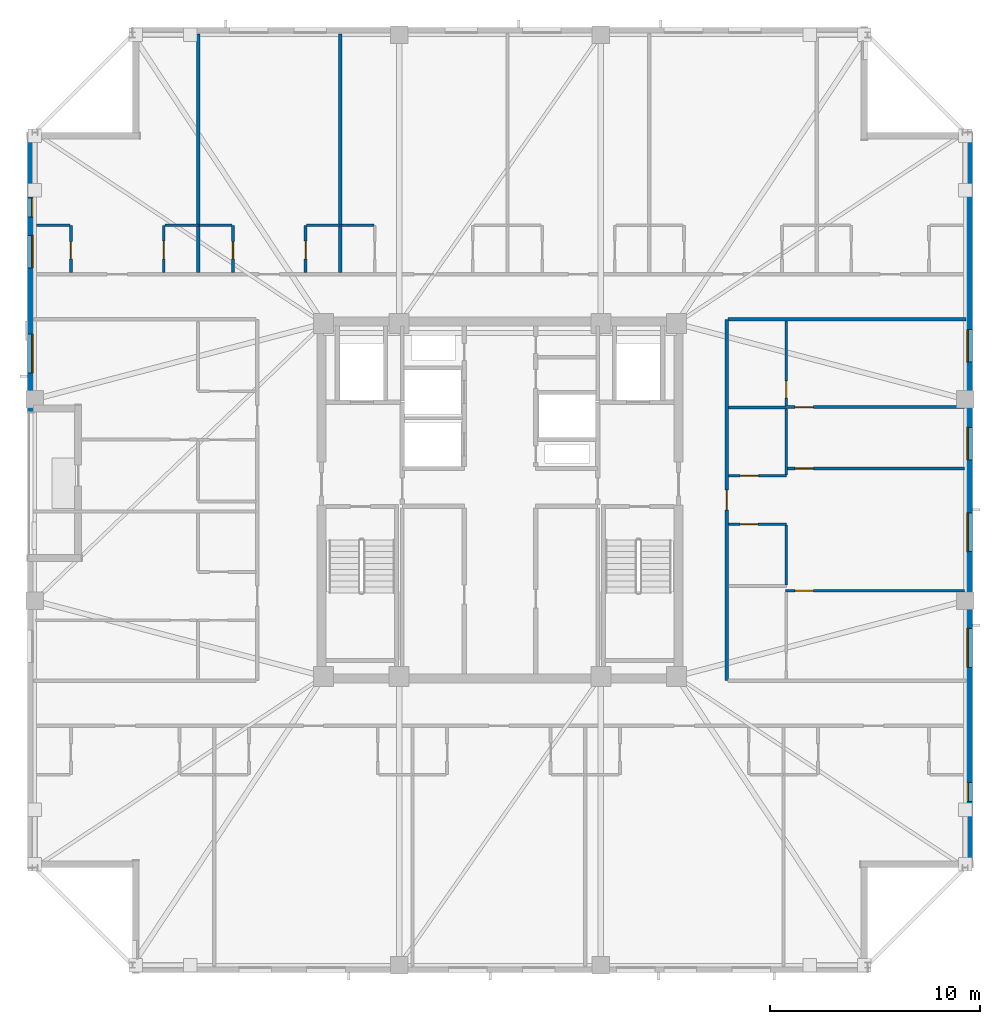
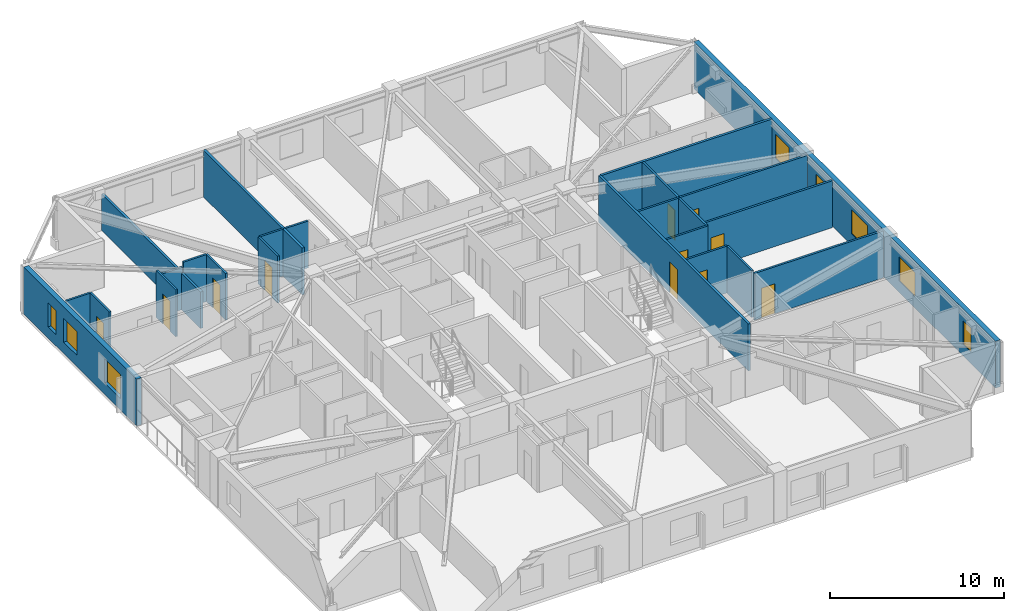
# One storey, part 10 of 17: 24 walls, 11 doors, 8 windows, 19 openings.
"""IFC4 building model written with IfcOpenShell, lengths in metres."""

from ifc_helpers import new_model, si_unit, direction, frame, frame_2d, origin, place, context, subcontext, project, spatial, rectangle, extrude, material, layer, layer_set, type_object, element, fill, save


model = new_model("IFC4")

# Units and contexts
model_context = context("Model", 3, precision=1e-05, world=origin(), true_north=direction((0.0, 1.0)))
body_context = subcontext(model_context, "Body", "Model", "MODEL_VIEW")
ifc_project = project(units=[si_unit("LENGTHUNIT", "METRE"), si_unit("AREAUNIT", "SQUARE_METRE"), si_unit("VOLUMEUNIT", "CUBIC_METRE"), si_unit("PLANEANGLEUNIT", "RADIAN"), si_unit("MASSUNIT", "GRAM", prefix="KILO")], contexts=[model_context])

# Site, building, storey
site_placement = place(None, origin())
site = spatial("IfcSite", under=ifc_project, at=site_placement, CompositionType="ELEMENT")
building_placement = place(site_placement, origin())
building = spatial("IfcBuilding", under=site, at=building_placement, Name="Cairnveth Concourse Tower", CompositionType="ELEMENT")
storey_placement = place(building_placement, frame((0.0, 0.0, 244.5)))
storey = spatial("IfcBuildingStorey", under=building, at=storey_placement, Name="L67", CompositionType="ELEMENT", Elevation=244.5)

# Wall, opening, door
ifc_material_1 = material(Name="Gypsum Plasterboard Partition", Category="gypsum")
ifc_layer_1 = layer(ifc_material_1, 0.159912109375)
ifc_layer_set_1 = layer_set([ifc_layer_1], Name="Gypsum Plasterboard Partition")
wall_type_1 = type_object("IfcWallType", Name="ACOUSTIC PARTY WALL 180", PredefinedType="PARTITIONING", material=ifc_layer_set_1)
wall_1_placement = place(storey_placement, frame((62.800048828125, 30.39990234375, 0.0), z_axis=(0.0, 0.0, 1.0), x_axis=(0.0, 1.0, 0.0)))
wall_1 = element("IfcWall", 1, at=wall_1_placement, inside=storey, type_object=wall_type_1, Name="Interior Wall IW-L67-037", PredefinedType="PARTITIONING", context=body_context, shape_type="SweptSolid", body=[
    extrude(rectangle(XDim=17.2001953125, YDim=0.159912109375, at=frame_2d((8.60009765625, 0.0))), origin(), (0.0, 0.0, 1.0), 3.2900390625),
])
opening_1_placement = place(wall_1_placement, frame((8.1201171875, 0.0, 0.0)))
opening_1 = element("IfcOpeningElement", 2, at=opening_1_placement, cuts=wall_1, Name="Opening ID10", PredefinedType="OPENING", context=body_context, shape_type="SweptSolid", body=[
    extrude(rectangle(XDim=0.9599609375, YDim=2.179931640625, at=frame_2d((0.47998046875, 1.08984375))), frame((0.0, 0.08984375, 0.0), z_axis=(0.0, -1.0, 0.0), x_axis=(1.0, 0.0, 0.0)), (0.0, 0.0, 1.0), 0.179931640625),
])
ifc_material_2 = material(Name="Solid Core Hardwood Timber Leaf", Category="wood")
door_type_1 = type_object("IfcDoorType", Name="FLAT ENTRANCE DOOR 960X2150", OperationType="NOTDEFINED", PredefinedType="DOOR", material=ifc_material_2)
door_1_placement = place(opening_1_placement, origin())
door_1 = element("IfcDoor", 3, at=door_1_placement, inside=storey, type_object=door_type_1, Name="Apartment L67E1 Entrance Door", OperationType="SINGLE_SWING_LEFT", OverallHeight=2.179931640625, OverallWidth=0.9599609375, PredefinedType="DOOR", context=body_context, shape_type="SweptSolid", body=[
    extrude(rectangle(XDim=0.9599609375, YDim=2.179931640625, at=frame_2d((0.47998046875, 1.08984375))), frame((0.0, 0.02490234375, 0.0), z_axis=(0.0, -1.0, 0.0), x_axis=(1.0, 0.0, 0.0)), (0.0, 0.0, 1.0), 0.050048828125),
])
fill(opening_1, door_1)

# Walls
wall_2_placement = place(storey_placement, frame((62.864990234375, 47.60009765625, 0.0), z_axis=(0.0, 0.0, 1.0), x_axis=(1.0, 0.0, 0.0)))
element("IfcWall", 4, at=wall_2_placement, inside=storey, type_object=wall_type_1, Name="Interior Wall IW-L67-041", PredefinedType="PARTITIONING", context=body_context, shape_type="SweptSolid", body=[
    extrude(rectangle(XDim=11.330078125, YDim=0.159912109375, at=frame_2d((5.6650390625, 0.0))), origin(), (0.0, 0.0, 1.0), 3.2900390625),
])
wall_3_placement = place(storey_placement, frame((37.637451171875, 49.827392578125, 0.0), z_axis=(0.0, 0.0, 1.0), x_axis=(0.0, 1.0, 0.0)))
element("IfcWall", 5, at=wall_3_placement, inside=storey, type_object=wall_type_1, Name="Interior Wall IW-L67-070", PredefinedType="PARTITIONING", context=body_context, shape_type="SweptSolid", body=[
    extrude(rectangle(XDim=11.36767578125, YDim=0.159912109375, at=frame_2d((5.683837890625, 0.0))), origin(), (0.0, 0.0, 1.0), 2.572998046875),
])
wall_4_placement = place(storey_placement, frame((44.392578125, 49.827392578125, 0.0), z_axis=(0.0, 0.0, 1.0), x_axis=(0.0, 1.0, 0.0)))
element("IfcWall", 6, at=wall_4_placement, inside=storey, type_object=wall_type_1, Name="Interior Wall IW-L67-075", PredefinedType="PARTITIONING", context=body_context, shape_type="SweptSolid", body=[
    extrude(rectangle(XDim=11.36767578125, YDim=0.159912109375, at=frame_2d((5.683837890625, 0.0))), origin(), (0.0, 0.0, 1.0), 3.2900390625),
])

# Wall, opening, door
ifc_layer_2 = layer(ifc_material_1, 0.139892578125)
ifc_layer_set_2 = layer_set([ifc_layer_2], Name="Gypsum Plasterboard Partition")
wall_type_2 = type_object("IfcWallType", Name="GYPSUM STUD PARTITION 140", PredefinedType="PARTITIONING", material=ifc_layer_set_2)
wall_5_placement = place(storey_placement, frame((65.590087890625, 34.679931640625, 0.0), z_axis=(0.0, 0.0, 1.0), x_axis=(1.0, 0.0, 0.0)))
wall_5 = element("IfcWall", 7, at=wall_5_placement, inside=storey, type_object=wall_type_2, Name="Interior Wall IW-L67-113", PredefinedType="PARTITIONING", context=body_context, shape_type="SweptSolid", body=[
    extrude(rectangle(XDim=8.530029296875, YDim=0.139892578125, at=frame_2d((4.26513671875, 0.0))), origin(), (0.0, 0.0, 1.0), 3.2900390625),
])
opening_2_placement = place(wall_5_placement, frame((0.449951171875, 0.0, 0.0)))
opening_2 = element("IfcOpeningElement", 8, at=opening_2_placement, cuts=wall_5, Name="Opening ID18", PredefinedType="OPENING", context=body_context, shape_type="SweptSolid", body=[
    extrude(rectangle(XDim=0.8798828125, YDim=2.10009765625, at=frame_2d((0.43994140625, 1.050048828125))), frame((0.0, 0.079833984375, 0.0), z_axis=(0.0, -1.0, 0.0), x_axis=(1.0, 0.0, 0.0)), (0.0, 0.0, 1.0), 0.159912109375),
])
door_type_2 = type_object("IfcDoorType", Name="INTERIOR SINGLE DOOR 880X2100", OperationType="NOTDEFINED", PredefinedType="DOOR", material=ifc_material_2)
door_2_placement = place(opening_2_placement, origin())
door_2 = element("IfcDoor", 9, at=door_2_placement, inside=storey, type_object=door_type_2, Name="L67E1 Master Bedroom Door", OperationType="SINGLE_SWING_LEFT", OverallHeight=2.10009765625, OverallWidth=0.8798828125, PredefinedType="DOOR", context=body_context, shape_type="SweptSolid", body=[
    extrude(rectangle(XDim=0.8798828125, YDim=2.10009765625, at=frame_2d((0.43994140625, 1.050048828125))), frame((0.0, 0.02490234375, 0.0), z_axis=(0.0, -1.0, 0.0), x_axis=(1.0, 0.0, 0.0)), (0.0, 0.0, 1.0), 0.050048828125),
])
fill(opening_2, door_2)

wall_6_placement = place(storey_placement, frame((65.679931640625, 43.419921875, 0.0), z_axis=(0.0, 0.0, 1.0), x_axis=(1.0, 0.0, 0.0)))
wall_6 = element("IfcWall", 10, at=wall_6_placement, inside=storey, type_object=wall_type_2, Name="Interior Wall IW-L67-115", PredefinedType="PARTITIONING", context=body_context, shape_type="SweptSolid", body=[
    extrude(rectangle(XDim=8.440185546875, YDim=0.139892578125, at=frame_2d((4.22021484375, 0.0))), origin(), (0.0, 0.0, 1.0), 3.2900390625),
])
opening_3_placement = place(wall_6_placement, frame((0.360107421875, 0.0, 0.0)))
opening_3 = element("IfcOpeningElement", 11, at=opening_3_placement, cuts=wall_6, Name="Opening ID18", PredefinedType="OPENING", context=body_context, shape_type="SweptSolid", body=[
    extrude(rectangle(XDim=0.8798828125, YDim=2.10009765625, at=frame_2d((0.43994140625, 1.050048828125))), frame((0.0, 0.079833984375, 0.0), z_axis=(0.0, -1.0, 0.0), x_axis=(1.0, 0.0, 0.0)), (0.0, 0.0, 1.0), 0.159912109375),
])
door_3_placement = place(opening_3_placement, origin())
door_3 = element("IfcDoor", 12, at=door_3_placement, inside=storey, type_object=door_type_2, Name="L67E1 Bedroom 2 Door", OperationType="SINGLE_SWING_LEFT", OverallHeight=2.10009765625, OverallWidth=0.8798828125, PredefinedType="DOOR", context=body_context, shape_type="SweptSolid", body=[
    extrude(rectangle(XDim=0.8798828125, YDim=2.10009765625, at=frame_2d((0.43994140625, 1.050048828125))), frame((0.0, 0.02490234375, 0.0), z_axis=(0.0, -1.0, 0.0), x_axis=(1.0, 0.0, 0.0)), (0.0, 0.0, 1.0), 0.050048828125),
])
fill(opening_3, door_3)

wall_7_placement = place(storey_placement, frame((65.6298828125, 43.47509765625, 0.0), z_axis=(0.0, 0.0, 1.0), x_axis=(0.0, 1.0, 0.0)))
wall_7 = element("IfcWall", 13, at=wall_7_placement, inside=storey, type_object=wall_type_2, Name="Interior Wall IW-L67-116", PredefinedType="PARTITIONING", context=body_context, shape_type="SweptSolid", body=[
    extrude(rectangle(XDim=4.059814453125, YDim=0.139892578125, at=frame_2d((2.02978515625, 0.0))), origin(), (0.0, 0.0, 1.0), 3.2900390625),
])
opening_4_placement = place(wall_7_placement, frame((0.375, 0.0, 0.0)))
opening_4 = element("IfcOpeningElement", 14, at=opening_4_placement, cuts=wall_7, Name="Opening ID22", PredefinedType="OPENING", context=body_context, shape_type="SweptSolid", body=[
    extrude(rectangle(XDim=0.820068359375, YDim=2.10009765625, at=frame_2d((0.41015625, 1.050048828125))), frame((0.0, 0.079833984375, 0.0), z_axis=(0.0, -1.0, 0.0), x_axis=(1.0, 0.0, 0.0)), (0.0, 0.0, 1.0), 0.159912109375),
])
door_type_3 = type_object("IfcDoorType", Name="INTERIOR WC DOOR 820X2100", OperationType="NOTDEFINED", PredefinedType="DOOR", material=ifc_material_2)
door_4_placement = place(opening_4_placement, origin())
door_4 = element("IfcDoor", 15, at=door_4_placement, inside=storey, type_object=door_type_3, Name="L67E1 Utility Door", OperationType="SINGLE_SWING_RIGHT", OverallHeight=2.10009765625, OverallWidth=0.820068359375, PredefinedType="DOOR", context=body_context, shape_type="SweptSolid", body=[
    extrude(rectangle(XDim=0.820068359375, YDim=2.10009765625, at=frame_2d((0.41015625, 1.050048828125))), frame((0.0, 0.02490234375, 0.0), z_axis=(0.0, -1.0, 0.0), x_axis=(1.0, 0.0, 0.0)), (0.0, 0.0, 1.0), 0.050048828125),
])
fill(opening_4, door_4)

wall_8_placement = place(storey_placement, frame((65.679931640625, 40.5, 0.0), z_axis=(0.0, 0.0, 1.0), x_axis=(1.0, 0.0, 0.0)))
wall_8 = element("IfcWall", 16, at=wall_8_placement, inside=storey, type_object=wall_type_2, Name="Interior Wall IW-L67-117", PredefinedType="PARTITIONING", context=body_context, shape_type="SweptSolid", body=[
    extrude(rectangle(XDim=8.440185546875, YDim=0.139892578125, at=frame_2d((4.22021484375, 0.0))), origin(), (0.0, 0.0, 1.0), 3.2900390625),
])
opening_5_placement = place(wall_8_placement, frame((0.360107421875, 0.0, 0.0)))
opening_5 = element("IfcOpeningElement", 17, at=opening_5_placement, cuts=wall_8, Name="Opening ID18", PredefinedType="OPENING", context=body_context, shape_type="SweptSolid", body=[
    extrude(rectangle(XDim=0.8798828125, YDim=2.10009765625, at=frame_2d((0.43994140625, 1.050048828125))), frame((0.0, 0.079833984375, 0.0), z_axis=(0.0, -1.0, 0.0), x_axis=(1.0, 0.0, 0.0)), (0.0, 0.0, 1.0), 0.159912109375),
])
door_5_placement = place(opening_5_placement, origin())
door_5 = element("IfcDoor", 18, at=door_5_placement, inside=storey, type_object=door_type_2, Name="L67E1 Media Lounge Door", OperationType="SINGLE_SWING_RIGHT", OverallHeight=2.10009765625, OverallWidth=0.8798828125, PredefinedType="DOOR", context=body_context, shape_type="SweptSolid", body=[
    extrude(rectangle(XDim=0.8798828125, YDim=2.10009765625, at=frame_2d((0.43994140625, 1.050048828125))), frame((0.0, 0.02490234375, 0.0), z_axis=(0.0, -1.0, 0.0), x_axis=(1.0, 0.0, 0.0)), (0.0, 0.0, 1.0), 0.050048828125),
])
fill(opening_5, door_5)

ifc_layer_3 = layer(ifc_material_1, 0.1298828125)
ifc_layer_set_3 = layer_set([ifc_layer_3], Name="Gypsum Plasterboard Partition")
wall_type_3 = type_object("IfcWallType", Name="WET AREA PARTITION 140", PredefinedType="PLUMBINGWALL", material=ifc_layer_set_3)
wall_9_placement = place(storey_placement, frame((31.570068359375, 49.827392578125, 0.0), z_axis=(0.0, 0.0, 1.0), x_axis=(0.0, 1.0, 0.0)))
wall_9 = element("IfcWall", 19, at=wall_9_placement, inside=storey, type_object=wall_type_3, Name="Interior Wall IW-L67-066", PredefinedType="PLUMBINGWALL", context=body_context, shape_type="SweptSolid", body=[
    extrude(rectangle(XDim=2.25, YDim=0.1298828125, at=frame_2d((1.125, 0.0))), origin(), (0.0, 0.0, 1.0), 3.2900390625),
])
opening_6_placement = place(wall_9_placement, frame((0.64990234375, 0.0, 0.0)))
opening_6 = element("IfcOpeningElement", 20, at=opening_6_placement, cuts=wall_9, Name="Opening ID22", PredefinedType="OPENING", context=body_context, shape_type="SweptSolid", body=[
    extrude(rectangle(XDim=0.820068359375, YDim=2.10009765625, at=frame_2d((0.41015625, 1.050048828125))), frame((0.0, 0.074951171875, 0.0), z_axis=(0.0, -1.0, 0.0), x_axis=(1.0, 0.0, 0.0)), (0.0, 0.0, 1.0), 0.14990234375),
])
door_6_placement = place(opening_6_placement, origin())
door_6 = element("IfcDoor", 21, at=door_6_placement, inside=storey, type_object=door_type_3, Name="L67STN1 Bathroom Door", OperationType="SINGLE_SWING_RIGHT", OverallHeight=2.10009765625, OverallWidth=0.820068359375, PredefinedType="DOOR", context=body_context, shape_type="SweptSolid", body=[
    extrude(rectangle(XDim=0.820068359375, YDim=2.10009765625, at=frame_2d((0.41015625, 1.050048828125))), frame((0.0, 0.02490234375, 0.0), z_axis=(0.0, -1.0, 0.0), x_axis=(1.0, 0.0, 0.0)), (0.0, 0.0, 1.0), 0.050048828125),
])
fill(opening_6, door_6)

# Wall
wall_10_placement = place(storey_placement, frame((29.919921875, 52.077392578125, 0.0), z_axis=(0.0, 0.0, 1.0), x_axis=(1.0, 0.0, 0.0)))
element("IfcWall", 22, at=wall_10_placement, inside=storey, type_object=wall_type_3, Name="Interior Wall IW-L67-067", PredefinedType="PLUMBINGWALL", context=body_context, shape_type="SweptSolid", body=[
    extrude(rectangle(XDim=1.60009765625, YDim=0.1298828125, at=frame_2d((0.800048828125, 0.0))), origin(), (0.0, 0.0, 1.0), 3.2900390625),
])

# Wall, opening, door
wall_11_placement = place(storey_placement, frame((35.987548828125, 49.827392578125, 0.0), z_axis=(0.0, 0.0, 1.0), x_axis=(0.0, 1.0, 0.0)))
wall_11 = element("IfcWall", 23, at=wall_11_placement, inside=storey, type_object=wall_type_3, Name="Interior Wall IW-L67-068", PredefinedType="PLUMBINGWALL", context=body_context, shape_type="SweptSolid", body=[
    extrude(rectangle(XDim=2.25, YDim=0.1298828125, at=frame_2d((1.125, 0.0))), origin(), (0.0, 0.0, 1.0), 3.2900390625),
])
opening_7_placement = place(wall_11_placement, frame((0.64990234375, 0.0, 0.0)))
opening_7 = element("IfcOpeningElement", 24, at=opening_7_placement, cuts=wall_11, Name="Opening ID20", PredefinedType="OPENING", context=body_context, shape_type="SweptSolid", body=[
    extrude(rectangle(XDim=0.85009765625, YDim=2.10009765625, at=frame_2d((0.425048828125, 1.050048828125))), frame((0.0, 0.074951171875, 0.0), z_axis=(0.0, -1.0, 0.0), x_axis=(1.0, 0.0, 0.0)), (0.0, 0.0, 1.0), 0.14990234375),
])
door_type_4 = type_object("IfcDoorType", Name="INTERIOR SINGLE DOOR 850X2100", OperationType="NOTDEFINED", PredefinedType="DOOR", material=ifc_material_2)
door_7_placement = place(opening_7_placement, origin())
door_7 = element("IfcDoor", 25, at=door_7_placement, inside=storey, type_object=door_type_4, Name="L67STN1 Kitchen Door", OperationType="SINGLE_SWING_LEFT", OverallHeight=2.10009765625, OverallWidth=0.85009765625, PredefinedType="DOOR", context=body_context, shape_type="SweptSolid", body=[
    extrude(rectangle(XDim=0.85009765625, YDim=2.10009765625, at=frame_2d((0.425048828125, 1.050048828125))), frame((0.0, 0.02490234375, 0.0), z_axis=(0.0, -1.0, 0.0), x_axis=(1.0, 0.0, 0.0)), (0.0, 0.0, 1.0), 0.050048828125),
])
fill(opening_7, door_7)

# Wall
wall_12_placement = place(storey_placement, frame((36.03759765625, 52.077392578125, 0.0), z_axis=(0.0, 0.0, 1.0), x_axis=(1.0, 0.0, 0.0)))
element("IfcWall", 26, at=wall_12_placement, inside=storey, type_object=wall_type_3, Name="Interior Wall IW-L67-069", PredefinedType="PLUMBINGWALL", context=body_context, shape_type="SweptSolid", body=[
    extrude(rectangle(XDim=1.599853515625, YDim=0.1298828125, at=frame_2d((0.7998046875, 0.0))), origin(), (0.0, 0.0, 1.0), 2.9580078125),
])

# Wall, opening, door
wall_13_placement = place(storey_placement, frame((39.28759765625, 49.827392578125, 0.0), z_axis=(0.0, 0.0, 1.0), x_axis=(0.0, 1.0, 0.0)))
wall_13 = element("IfcWall", 27, at=wall_13_placement, inside=storey, type_object=wall_type_3, Name="Interior Wall IW-L67-071", PredefinedType="PLUMBINGWALL", context=body_context, shape_type="SweptSolid", body=[
    extrude(rectangle(XDim=2.25, YDim=0.1298828125, at=frame_2d((1.125, 0.0))), origin(), (0.0, 0.0, 1.0), 3.2900390625),
])
opening_8_placement = place(wall_13_placement, frame((0.64990234375, 0.0, 0.0)))
opening_8 = element("IfcOpeningElement", 28, at=opening_8_placement, cuts=wall_13, Name="Opening ID22", PredefinedType="OPENING", context=body_context, shape_type="SweptSolid", body=[
    extrude(rectangle(XDim=0.820068359375, YDim=2.10009765625, at=frame_2d((0.41015625, 1.050048828125))), frame((0.0, 0.074951171875, 0.0), z_axis=(0.0, -1.0, 0.0), x_axis=(1.0, 0.0, 0.0)), (0.0, 0.0, 1.0), 0.14990234375),
])
door_8_placement = place(opening_8_placement, origin())
door_8 = element("IfcDoor", 29, at=door_8_placement, inside=storey, type_object=door_type_3, Name="L67STN2 Bathroom Door", OperationType="SINGLE_SWING_LEFT", OverallHeight=2.10009765625, OverallWidth=0.820068359375, PredefinedType="DOOR", context=body_context, shape_type="SweptSolid", body=[
    extrude(rectangle(XDim=0.820068359375, YDim=2.10009765625, at=frame_2d((0.41015625, 1.050048828125))), frame((0.0, 0.02490234375, 0.0), z_axis=(0.0, -1.0, 0.0), x_axis=(1.0, 0.0, 0.0)), (0.0, 0.0, 1.0), 0.050048828125),
])
fill(opening_8, door_8)

# Wall
wall_14_placement = place(storey_placement, frame((37.702392578125, 52.077392578125, 0.0), z_axis=(0.0, 0.0, 1.0), x_axis=(1.0, 0.0, 0.0)))
element("IfcWall", 30, at=wall_14_placement, inside=storey, type_object=wall_type_3, Name="Interior Wall IW-L67-072", PredefinedType="PLUMBINGWALL", context=body_context, shape_type="SweptSolid", body=[
    extrude(rectangle(XDim=1.53515625, YDim=0.1298828125, at=frame_2d((0.767578125, 0.0))), origin(), (0.0, 0.0, 1.0), 3.2900390625),
])

# Wall, opening, door
wall_15_placement = place(storey_placement, frame((42.742431640625, 49.827392578125, 0.0), z_axis=(0.0, 0.0, 1.0), x_axis=(0.0, 1.0, 0.0)))
wall_15 = element("IfcWall", 31, at=wall_15_placement, inside=storey, type_object=wall_type_3, Name="Interior Wall IW-L67-073", PredefinedType="PLUMBINGWALL", context=body_context, shape_type="SweptSolid", body=[
    extrude(rectangle(XDim=2.25, YDim=0.1298828125, at=frame_2d((1.125, 0.0))), origin(), (0.0, 0.0, 1.0), 3.2900390625),
])
opening_9_placement = place(wall_15_placement, frame((0.64990234375, 0.0, 0.0)))
opening_9 = element("IfcOpeningElement", 32, at=opening_9_placement, cuts=wall_15, Name="Opening ID20", PredefinedType="OPENING", context=body_context, shape_type="SweptSolid", body=[
    extrude(rectangle(XDim=0.85009765625, YDim=2.10009765625, at=frame_2d((0.425048828125, 1.050048828125))), frame((0.0, 0.074951171875, 0.0), z_axis=(0.0, -1.0, 0.0), x_axis=(1.0, 0.0, 0.0)), (0.0, 0.0, 1.0), 0.14990234375),
])
door_9_placement = place(opening_9_placement, origin())
door_9 = element("IfcDoor", 33, at=door_9_placement, inside=storey, type_object=door_type_4, Name="L67STN2 Kitchen Door", OperationType="SINGLE_SWING_RIGHT", OverallHeight=2.10009765625, OverallWidth=0.85009765625, PredefinedType="DOOR", context=body_context, shape_type="SweptSolid", body=[
    extrude(rectangle(XDim=0.85009765625, YDim=2.10009765625, at=frame_2d((0.425048828125, 1.050048828125))), frame((0.0, 0.02490234375, 0.0), z_axis=(0.0, -1.0, 0.0), x_axis=(1.0, 0.0, 0.0)), (0.0, 0.0, 1.0), 0.050048828125),
])
fill(opening_9, door_9)

# Walls
wall_16_placement = place(storey_placement, frame((42.79248046875, 52.077392578125, 0.0), z_axis=(0.0, 0.0, 1.0), x_axis=(1.0, 0.0, 0.0)))
element("IfcWall", 34, at=wall_16_placement, inside=storey, type_object=wall_type_3, Name="Interior Wall IW-L67-074", PredefinedType="PLUMBINGWALL", context=body_context, shape_type="SweptSolid", body=[
    extrude(rectangle(XDim=1.60009765625, YDim=0.1298828125, at=frame_2d((0.800048828125, 0.0))), origin(), (0.0, 0.0, 1.0), 3.2900390625),
])
wall_17_placement = place(storey_placement, frame((44.45751953125, 52.077392578125, 0.0), z_axis=(0.0, 0.0, 1.0), x_axis=(1.0, 0.0, 0.0)))
element("IfcWall", 35, at=wall_17_placement, inside=storey, type_object=wall_type_3, Name="Interior Wall IW-L67-077", PredefinedType="PLUMBINGWALL", context=body_context, shape_type="SweptSolid", body=[
    extrude(rectangle(XDim=1.534912109375, YDim=0.1298828125, at=frame_2d((0.767578125, 0.0))), origin(), (0.0, 0.0, 1.0), 3.2900390625),
])

# Wall, opening, door
wall_18_placement = place(storey_placement, frame((62.8798828125, 37.85009765625, 0.0), z_axis=(0.0, 0.0, 1.0), x_axis=(1.0, 0.0, 0.0)))
wall_18 = element("IfcWall", 36, at=wall_18_placement, inside=storey, type_object=wall_type_3, Name="Interior Wall IW-L67-108", PredefinedType="PLUMBINGWALL", context=body_context, shape_type="SweptSolid", body=[
    extrude(rectangle(XDim=2.75, YDim=0.1298828125, at=frame_2d((1.375, 0.0))), origin(), (0.0, 0.0, 1.0), 3.2900390625),
])
opening_10_placement = place(wall_18_placement, frame((0.550048828125, 0.0, 0.0)))
opening_10 = element("IfcOpeningElement", 37, at=opening_10_placement, cuts=wall_18, Name="Opening ID21", PredefinedType="OPENING", context=body_context, shape_type="SweptSolid", body=[
    extrude(rectangle(XDim=0.85009765625, YDim=2.080078125, at=frame_2d((0.425048828125, 1.0400390625))), frame((0.0, 0.074951171875, 0.0), z_axis=(0.0, -1.0, 0.0), x_axis=(1.0, 0.0, 0.0)), (0.0, 0.0, 1.0), 0.14990234375),
])
door_type_5 = type_object("IfcDoorType", Name="INTERIOR WC DOOR 850X2100", OperationType="NOTDEFINED", PredefinedType="DOOR", material=ifc_material_2)
door_10_placement = place(opening_10_placement, origin())
door_10 = element("IfcDoor", 38, at=door_10_placement, inside=storey, type_object=door_type_5, Name="L67E1 Bathroom Door", OperationType="SINGLE_SWING_RIGHT", OverallHeight=2.080078125, OverallWidth=0.85009765625, PredefinedType="DOOR", context=body_context, shape_type="SweptSolid", body=[
    extrude(rectangle(XDim=0.85009765625, YDim=2.080078125, at=frame_2d((0.425048828125, 1.0400390625))), frame((0.0, 0.02490234375, 0.0), z_axis=(0.0, -1.0, 0.0), x_axis=(1.0, 0.0, 0.0)), (0.0, 0.0, 1.0), 0.050048828125),
])
fill(opening_10, door_10)

# Walls
wall_19_placement = place(storey_placement, frame((65.6298828125, 34.949951171875, 0.0), z_axis=(0.0, 0.0, 1.0), x_axis=(0.0, 1.0, 0.0)))
element("IfcWall", 39, at=wall_19_placement, inside=storey, type_object=wall_type_3, Name="Interior Wall IW-L67-109", PredefinedType="PLUMBINGWALL", context=body_context, shape_type="SweptSolid", body=[
    extrude(rectangle(XDim=2.85009765625, YDim=0.1298828125, at=frame_2d((1.425048828125, 0.0))), origin(), (0.0, 0.0, 1.0), 3.2900390625),
])
wall_20_placement = place(storey_placement, frame((62.8798828125, 43.39990234375, 0.0), z_axis=(0.0, 0.0, 1.0), x_axis=(1.0, 0.0, 0.0)))
element("IfcWall", 40, at=wall_20_placement, inside=storey, type_object=wall_type_3, Name="Interior Wall IW-L67-110", PredefinedType="PLUMBINGWALL", context=body_context, shape_type="SweptSolid", body=[
    extrude(rectangle(XDim=2.75, YDim=0.1298828125, at=frame_2d((1.375, 0.0))), origin(), (0.0, 0.0, 1.0), 3.2900390625),
])

# Wall, opening, door
wall_21_placement = place(storey_placement, frame((62.8798828125, 40.14990234375, 0.0), z_axis=(0.0, 0.0, 1.0), x_axis=(1.0, 0.0, 0.0)))
wall_21 = element("IfcWall", 41, at=wall_21_placement, inside=storey, type_object=wall_type_3, Name="Interior Wall IW-L67-111", PredefinedType="PLUMBINGWALL", context=body_context, shape_type="SweptSolid", body=[
    extrude(rectangle(XDim=2.75, YDim=0.1298828125, at=frame_2d((1.375, 0.0))), origin(), (0.0, 0.0, 1.0), 3.2900390625),
])
opening_11_placement = place(wall_21_placement, frame((0.550048828125, 0.0, 0.0)))
opening_11 = element("IfcOpeningElement", 42, at=opening_11_placement, cuts=wall_21, Name="Opening ID18", PredefinedType="OPENING", context=body_context, shape_type="SweptSolid", body=[
    extrude(rectangle(XDim=0.8798828125, YDim=2.10009765625, at=frame_2d((0.43994140625, 1.050048828125))), frame((0.0, 0.074951171875, 0.0), z_axis=(0.0, -1.0, 0.0), x_axis=(1.0, 0.0, 0.0)), (0.0, 0.0, 1.0), 0.14990234375),
])
door_11_placement = place(opening_11_placement, origin())
door_11 = element("IfcDoor", 43, at=door_11_placement, inside=storey, type_object=door_type_2, Name="L67E1 Kitchen Door", OperationType="SINGLE_SWING_LEFT", OverallHeight=2.10009765625, OverallWidth=0.8798828125, PredefinedType="DOOR", context=body_context, shape_type="SweptSolid", body=[
    extrude(rectangle(XDim=0.8798828125, YDim=2.10009765625, at=frame_2d((0.43994140625, 1.050048828125))), frame((0.0, 0.02490234375, 0.0), z_axis=(0.0, -1.0, 0.0), x_axis=(1.0, 0.0, 0.0)), (0.0, 0.0, 1.0), 0.050048828125),
])
fill(opening_11, door_11)

# Wall
wall_22_placement = place(storey_placement, frame((65.6298828125, 40.199951171875, 0.0), z_axis=(0.0, 0.0, 1.0), x_axis=(0.0, 1.0, 0.0)))
element("IfcWall", 44, at=wall_22_placement, inside=storey, type_object=wall_type_3, Name="Interior Wall IW-L67-112", PredefinedType="PLUMBINGWALL", context=body_context, shape_type="SweptSolid", body=[
    extrude(rectangle(XDim=3.150146484375, YDim=0.1298828125, at=frame_2d((1.5751953125, 0.0))), origin(), (0.0, 0.0, 1.0), 3.2900390625),
])

# Wall, openings, windows
ifc_material_3 = material(Name="Melbourne Buff Fired Clay Brick Masonry", Category="masonry")
ifc_layer_4 = layer(ifc_material_3, 0.320068359375)
ifc_layer_set_4 = layer_set([ifc_layer_4], Name="Melbourne Buff Fired Clay Brick Masonry")
wall_type_4 = type_object("IfcWallType", Name="ZONE 3 BRICK PIER SPANDREL WALL 320", PredefinedType="SOLIDWALL", material=ifc_layer_set_4)
wall_23_placement = place(storey_placement, frame((29.659912109375, 43.199951171875, 0.0), z_axis=(0.0, 0.0, 1.0), x_axis=(0.0, 1.0, 0.0)))
wall_23 = element("IfcWall", 45, at=wall_23_placement, inside=storey, type_object=wall_type_4, Name="Exterior Wall EW-L67-S00", PredefinedType="SOLIDWALL", context=body_context, shape_type="SweptSolid", body=[
    extrude(rectangle(XDim=13.001953125, YDim=0.320068359375, at=frame_2d((6.5009765625, 0.0))), origin(), (0.0, 0.0, 1.0), 3.2900390625),
])
opening_12_placement = place(wall_23_placement, frame((1.8505859375, 0.0, 0.800048828125)))
opening_12 = element("IfcOpeningElement", 46, at=opening_12_placement, cuts=wall_23, Name="Opening W08", PredefinedType="OPENING", context=body_context, shape_type="SweptSolid", body=[
    extrude(rectangle(XDim=1.85009765625, YDim=1.677978515625, at=frame_2d((0.925048828125, 0.8388671875))), frame((0.0, 0.169921875, 0.0), z_axis=(0.0, -1.0, 0.0), x_axis=(1.0, 0.0, 0.0)), (0.0, 0.0, 1.0), 0.340087890625),
])
opening_13_placement = place(wall_23_placement, frame((6.8515625, 0.0, 0.800048828125)))
opening_13 = element("IfcOpeningElement", 47, at=opening_13_placement, cuts=wall_23, Name="Opening W07", PredefinedType="OPENING", context=body_context, shape_type="SweptSolid", body=[
    extrude(rectangle(XDim=1.550048828125, YDim=1.677978515625, at=frame_2d((0.77490234375, 0.8388671875))), frame((0.0, 0.169921875, 0.0), z_axis=(0.0, -1.0, 0.0), x_axis=(1.0, 0.0, 0.0)), (0.0, 0.0, 1.0), 0.340087890625),
])
opening_14_placement = place(wall_23_placement, frame((9.27001953125, 0.0, 0.800048828125)))
opening_14 = element("IfcOpeningElement", 48, at=opening_14_placement, cuts=wall_23, Name="Opening W13", PredefinedType="OPENING", context=body_context, shape_type="SweptSolid", body=[
    extrude(rectangle(XDim=0.89990234375, YDim=1.677978515625, at=frame_2d((0.449951171875, 0.8388671875))), frame((0.0, 0.169921875, 0.0), z_axis=(0.0, -1.0, 0.0), x_axis=(1.0, 0.0, 0.0)), (0.0, 0.0, 1.0), 0.340087890625),
])
ifc_material_4 = material(Name="Double Glazed Low-E Clear Glass", Category="glass")
window_type_1 = type_object("IfcWindowType", Name="DEEP-SET APARTMENT LIVING WINDOW 1850X1850", PartitioningType="DOUBLE_PANEL_VERTICAL", PredefinedType="WINDOW", material=ifc_material_4)
window_1_placement = place(opening_12_placement, origin())
window_1 = element("IfcWindow", 49, at=window_1_placement, inside=storey, type_object=window_type_1, Name="Gothic Lancet Window L67-0-1", OverallHeight=1.677978515625, OverallWidth=1.85009765625, PartitioningType="SINGLE_PANEL", PredefinedType="WINDOW", context=body_context, shape_type="SweptSolid", body=[
    extrude(rectangle(XDim=1.85009765625, YDim=1.677978515625, at=frame_2d((0.925048828125, 0.8388671875))), frame((0.0, -0.050048828125, 0.0), z_axis=(0.0, -1.0, 0.0), x_axis=(1.0, 0.0, 0.0)), (0.0, 0.0, 1.0), 0.06005859375),
])
fill(opening_12, window_1)
window_type_2 = type_object("IfcWindowType", Name="DEEP-SET APARTMENT WINDOW 1550X1800", PartitioningType="DOUBLE_PANEL_VERTICAL", PredefinedType="WINDOW", material=ifc_material_4)
window_2_placement = place(opening_13_placement, origin())
window_2 = element("IfcWindow", 50, at=window_2_placement, inside=storey, type_object=window_type_2, Name="Gothic Lancet Window L67-0-2", OverallHeight=1.677978515625, OverallWidth=1.550048828125, PartitioningType="SINGLE_PANEL", PredefinedType="WINDOW", context=body_context, shape_type="SweptSolid", body=[
    extrude(rectangle(XDim=1.550048828125, YDim=1.677978515625, at=frame_2d((0.77490234375, 0.8388671875))), frame((0.0, -0.050048828125, 0.0), z_axis=(0.0, -1.0, 0.0), x_axis=(1.0, 0.0, 0.0)), (0.0, 0.0, 1.0), 0.06005859375),
])
fill(opening_13, window_2)
window_type_3 = type_object("IfcWindowType", Name="DEEP-SET BEDROOM LANCET WINDOW 900X1750", PartitioningType="DOUBLE_PANEL_VERTICAL", PredefinedType="WINDOW", material=ifc_material_4)
window_3_placement = place(opening_14_placement, origin())
window_3 = element("IfcWindow", 51, at=window_3_placement, inside=storey, type_object=window_type_3, Name="Dwelling Lancet Window L67-DW3", OverallHeight=1.677978515625, OverallWidth=0.89990234375, PartitioningType="SINGLE_PANEL", PredefinedType="WINDOW", context=body_context, shape_type="SweptSolid", body=[
    extrude(rectangle(XDim=0.89990234375, YDim=1.677978515625, at=frame_2d((0.449951171875, 0.8388671875))), frame((0.0, -0.0400390625, 0.0), z_axis=(0.0, -1.0, 0.0), x_axis=(1.0, 0.0, 0.0)), (0.0, 0.0, 1.0), 0.06005859375),
])
fill(opening_14, window_3)

wall_24_placement = place(storey_placement, frame((74.340087890625, 56.5, 0.0), z_axis=(0.0, 0.0, 1.0), x_axis=(0.0, -1.0, 0.0)))
wall_24 = element("IfcWall", 52, at=wall_24_placement, inside=storey, type_object=wall_type_4, Name="Exterior Wall EW-L67-S06", PredefinedType="SOLIDWALL", context=body_context, shape_type="SweptSolid", body=[
    extrude(rectangle(XDim=34.701904296875, YDim=0.320068359375, at=frame_2d((17.35107421875, 0.0))), origin(), (0.0, 0.0, 1.0), 3.2900390625),
])
opening_15_placement = place(wall_24_placement, frame((9.387939453125, 0.0, 0.800048828125)))
opening_15 = element("IfcOpeningElement", 53, at=opening_15_placement, cuts=wall_24, Name="Opening W07", PredefinedType="OPENING", context=body_context, shape_type="SweptSolid", body=[
    extrude(rectangle(XDim=1.550048828125, YDim=1.677978515625, at=frame_2d((0.77490234375, 0.8388671875))), frame((0.0, 0.169921875, 0.0), z_axis=(0.0, -1.0, 0.0), x_axis=(1.0, 0.0, 0.0)), (0.0, 0.0, 1.0), 0.340087890625),
])
opening_16_placement = place(wall_24_placement, frame((14.038330078125, 0.0, 0.800048828125)))
opening_16 = element("IfcOpeningElement", 54, at=opening_16_placement, cuts=wall_24, Name="Opening W07", PredefinedType="OPENING", context=body_context, shape_type="SweptSolid", body=[
    extrude(rectangle(XDim=1.550048828125, YDim=1.677978515625, at=frame_2d((0.77490234375, 0.8388671875))), frame((0.0, 0.169921875, 0.0), z_axis=(0.0, -1.0, 0.0), x_axis=(1.0, 0.0, 0.0)), (0.0, 0.0, 1.0), 0.340087890625),
])
opening_17_placement = place(wall_24_placement, frame((18.113525390625, 0.0, 0.800048828125)))
opening_17 = element("IfcOpeningElement", 55, at=opening_17_placement, cuts=wall_24, Name="Opening W08", PredefinedType="OPENING", context=body_context, shape_type="SweptSolid", body=[
    extrude(rectangle(XDim=1.85009765625, YDim=1.677978515625, at=frame_2d((0.925048828125, 0.8388671875))), frame((0.0, 0.169921875, 0.0), z_axis=(0.0, -1.0, 0.0), x_axis=(1.0, 0.0, 0.0)), (0.0, 0.0, 1.0), 0.340087890625),
])
opening_18_placement = place(wall_24_placement, frame((23.614013671875, 0.0, 0.800048828125)))
opening_18 = element("IfcOpeningElement", 56, at=opening_18_placement, cuts=wall_24, Name="Opening W08", PredefinedType="OPENING", context=body_context, shape_type="SweptSolid", body=[
    extrude(rectangle(XDim=1.85009765625, YDim=1.677978515625, at=frame_2d((0.925048828125, 0.8388671875))), frame((0.0, 0.169921875, 0.0), z_axis=(0.0, -1.0, 0.0), x_axis=(1.0, 0.0, 0.0)), (0.0, 0.0, 1.0), 0.340087890625),
])
opening_19_placement = place(wall_24_placement, frame((30.949951171875, 0.0, 0.800048828125)))
opening_19 = element("IfcOpeningElement", 57, at=opening_19_placement, cuts=wall_24, Name="Opening W13", PredefinedType="OPENING", context=body_context, shape_type="SweptSolid", body=[
    extrude(rectangle(XDim=0.89990234375, YDim=1.677978515625, at=frame_2d((0.449951171875, 0.8388671875))), frame((0.0, 0.169921875, 0.0), z_axis=(0.0, -1.0, 0.0), x_axis=(1.0, 0.0, 0.0)), (0.0, 0.0, 1.0), 0.340087890625),
])
window_4_placement = place(opening_17_placement, origin())
window_4 = element("IfcWindow", 58, at=window_4_placement, inside=storey, type_object=window_type_1, Name="Gothic Lancet Window L67-6-5", OverallHeight=1.677978515625, OverallWidth=1.85009765625, PartitioningType="SINGLE_PANEL", PredefinedType="WINDOW", context=body_context, shape_type="SweptSolid", body=[
    extrude(rectangle(XDim=1.85009765625, YDim=1.677978515625, at=frame_2d((0.925048828125, 0.8388671875))), frame((0.0, -0.050048828125, 0.0), z_axis=(0.0, -1.0, 0.0), x_axis=(1.0, 0.0, 0.0)), (0.0, 0.0, 1.0), 0.06005859375),
])
fill(opening_17, window_4)
window_5_placement = place(opening_18_placement, origin())
window_5 = element("IfcWindow", 59, at=window_5_placement, inside=storey, type_object=window_type_1, Name="Gothic Lancet Window L67-6-7", OverallHeight=1.677978515625, OverallWidth=1.85009765625, PartitioningType="SINGLE_PANEL", PredefinedType="WINDOW", context=body_context, shape_type="SweptSolid", body=[
    extrude(rectangle(XDim=1.85009765625, YDim=1.677978515625, at=frame_2d((0.925048828125, 0.8388671875))), frame((0.0, -0.050048828125, 0.0), z_axis=(0.0, -1.0, 0.0), x_axis=(1.0, 0.0, 0.0)), (0.0, 0.0, 1.0), 0.06005859375),
])
fill(opening_18, window_5)
window_6_placement = place(opening_15_placement, origin())
window_6 = element("IfcWindow", 60, at=window_6_placement, inside=storey, type_object=window_type_2, Name="Gothic Lancet Window L67-6-2", OverallHeight=1.677978515625, OverallWidth=1.550048828125, PartitioningType="SINGLE_PANEL", PredefinedType="WINDOW", context=body_context, shape_type="SweptSolid", body=[
    extrude(rectangle(XDim=1.550048828125, YDim=1.677978515625, at=frame_2d((0.77490234375, 0.8388671875))), frame((0.0, -0.050048828125, 0.0), z_axis=(0.0, -1.0, 0.0), x_axis=(1.0, 0.0, 0.0)), (0.0, 0.0, 1.0), 0.06005859375),
])
fill(opening_15, window_6)
window_7_placement = place(opening_16_placement, origin())
window_7 = element("IfcWindow", 61, at=window_7_placement, inside=storey, type_object=window_type_2, Name="Gothic Lancet Window L67-6-4", OverallHeight=1.677978515625, OverallWidth=1.550048828125, PartitioningType="SINGLE_PANEL", PredefinedType="WINDOW", context=body_context, shape_type="SweptSolid", body=[
    extrude(rectangle(XDim=1.550048828125, YDim=1.677978515625, at=frame_2d((0.77490234375, 0.8388671875))), frame((0.0, -0.050048828125, 0.0), z_axis=(0.0, -1.0, 0.0), x_axis=(1.0, 0.0, 0.0)), (0.0, 0.0, 1.0), 0.06005859375),
])
fill(opening_16, window_7)
window_8_placement = place(opening_19_placement, origin())
window_8 = element("IfcWindow", 62, at=window_8_placement, inside=storey, type_object=window_type_3, Name="Dwelling Lancet Window L67-DW2", OverallHeight=1.677978515625, OverallWidth=0.89990234375, PartitioningType="SINGLE_PANEL", PredefinedType="WINDOW", context=body_context, shape_type="SweptSolid", body=[
    extrude(rectangle(XDim=0.89990234375, YDim=1.677978515625, at=frame_2d((0.449951171875, 0.8388671875))), frame((0.0, -0.0400390625, 0.0), z_axis=(0.0, -1.0, 0.0), x_axis=(1.0, 0.0, 0.0)), (0.0, 0.0, 1.0), 0.06005859375),
])
fill(opening_19, window_8)

save(model, "model.ifc")
